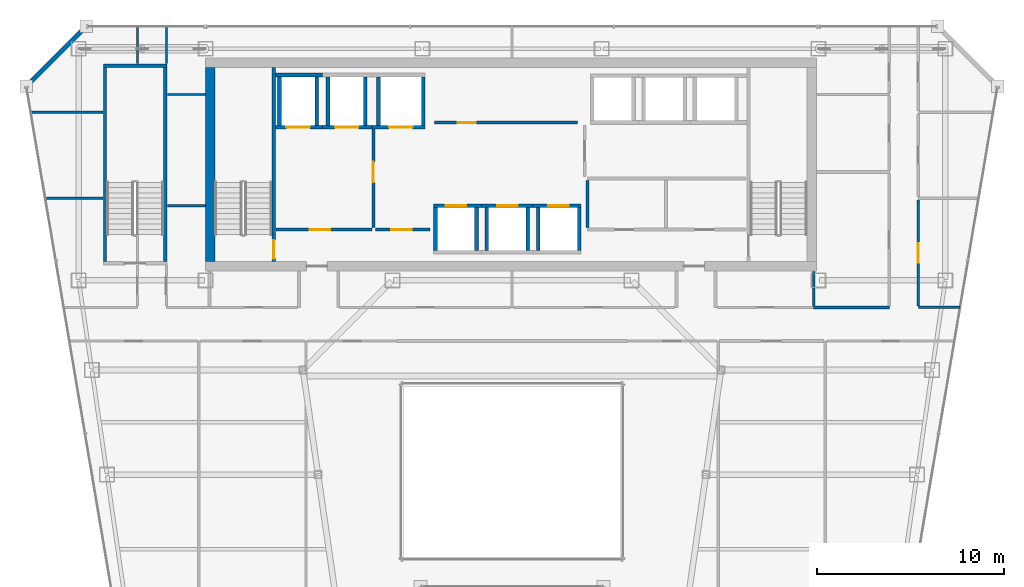
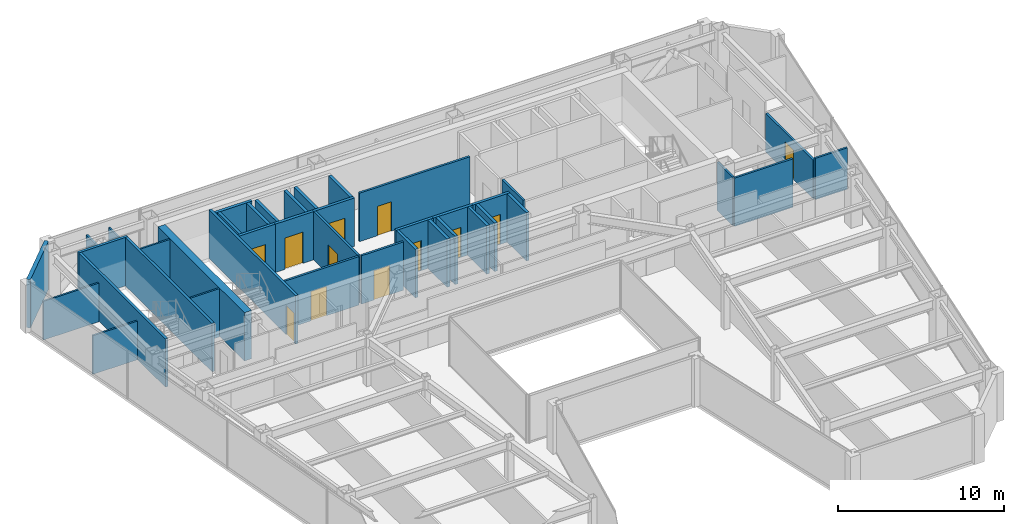
# One storey, part 31 of 36: 40 walls, 12 doors, 12 openings.
"""IFC4 building model written with IfcOpenShell, lengths in metres."""

from ifc_helpers import new_model, si_unit, direction, frame, frame_2d, origin, place, context, subcontext, project, spatial, rectangle, extrude, material, layer, layer_set, type_object, element, fill, save


model = new_model("IFC4")

# Units and contexts
model_context = context("Model", 3, precision=1e-05, world=origin(), true_north=direction((0.0, 1.0)))
body_context = subcontext(model_context, "Body", "Model", "MODEL_VIEW")
ifc_project = project(units=[si_unit("LENGTHUNIT", "METRE"), si_unit("AREAUNIT", "SQUARE_METRE"), si_unit("VOLUMEUNIT", "CUBIC_METRE"), si_unit("PLANEANGLEUNIT", "RADIAN"), si_unit("MASSUNIT", "GRAM", prefix="KILO")], contexts=[model_context])

# Site, building, storey
site_placement = place(None, origin())
site = spatial("IfcSite", under=ifc_project, at=site_placement, CompositionType="ELEMENT")
building_placement = place(site_placement, origin())
building = spatial("IfcBuilding", under=site, at=building_placement, Name="Saevonmaru Cultural Tower", CompositionType="ELEMENT")
storey_placement = place(building_placement, frame((0.0, 0.0, 186.60009765625)))
storey = spatial("IfcBuildingStorey", under=building, at=storey_placement, Name="L42", CompositionType="ELEMENT", Elevation=186.60009765625)

# Wall
ifc_material_1 = material(Name="Concrete C60/75", Category="concrete")
ifc_layer_1 = layer(ifc_material_1, 0.5, Name="Concrete C60/75")
ifc_layer_set_1 = layer_set([ifc_layer_1], Name="Concrete C60/75")
wall_type_1 = type_object("IfcWallType", Name="WL-CORE-500", PredefinedType="SHEAR", material=ifc_layer_set_1)
wall_1_placement = place(storey_placement, frame((13.85009765625, 43.39990234375, 0.0), z_axis=(0.0, 0.0, 1.0), x_axis=(0.0, 1.0, 0.0)))
element("IfcWall", 1, at=wall_1_placement, inside=storey, type_object=wall_type_1, Name="L42 Tower RC core shear wall W", PredefinedType="SHEAR", context=body_context, shape_type="SweptSolid", body=[
    extrude(rectangle(XDim=10.400146484375, YDim=0.5, at=frame_2d((5.2001953125, 0.0))), origin(), (0.0, 0.0, 1.0), 3.5498046875),
])

# Wall, opening, door
ifc_material_2 = material(Name="Gypsum Fireboard Partition", Category="gypsum")
ifc_layer_2 = layer(ifc_material_2, 0.14990234375, Name="Gypsum Fireboard Partition")
ifc_layer_set_2 = layer_set([ifc_layer_2], Name="Gypsum Fireboard Partition")
wall_type_2 = type_object("IfcWallType", Name="WL-CORE-PART-150", PredefinedType="PARTITIONING", material=ifc_layer_set_2)
wall_2_placement = place(storey_placement, frame((17.360107421875, 45.1201171875, 0.0), z_axis=(0.0, 0.0, 1.0), x_axis=(1.0, 0.0, 0.0)))
wall_2 = element("IfcWall", 2, at=wall_2_placement, inside=storey, type_object=wall_type_2, Name="L42 Firefighting Lift Lobby South Wall", PredefinedType="PARTITIONING", context=body_context, shape_type="SweptSolid", body=[
    extrude(rectangle(XDim=5.139892578125, YDim=0.14990234375, at=frame_2d((2.56982421875, 0.0))), origin(), (0.0, 0.0, 1.0), 3.5498046875),
])
opening_1_placement = place(wall_2_placement, frame((1.800048828125, 0.0, 0.0)))
opening_1 = element("IfcOpeningElement", 3, at=opening_1_placement, cuts=wall_2, Name="Opening FD-2", PredefinedType="OPENING", context=body_context, shape_type="SweptSolid", body=[
    extrude(rectangle(XDim=1.10009765625, YDim=2.14990234375, at=frame_2d((0.550048828125, 1.074951171875))), frame((0.0, 0.0849609375, 0.0), z_axis=(0.0, -1.0, 0.0), x_axis=(1.0, 0.0, 0.0)), (0.0, 0.0, 1.0), 0.169921875),
])
ifc_material_3 = material(Name="Satin Bronze Anodised Aluminium", Category="aluminium")
door_type_1 = type_object("IfcDoorType", Name="DR-FD60-1100", OperationType="SINGLE_SWING_LEFT", PredefinedType="DOOR", material=ifc_material_3)
door_1_placement = place(opening_1_placement, origin())
door_1 = element("IfcDoor", 4, at=door_1_placement, inside=storey, type_object=door_type_1, Name="L42 Firefighting Lift Lobby South Door", OperationType="SINGLE_SWING_LEFT", OverallHeight=2.14990234375, OverallWidth=1.10009765625, PredefinedType="DOOR", context=body_context, shape_type="SweptSolid", body=[
    extrude(rectangle(XDim=1.10009765625, YDim=2.14990234375, at=frame_2d((0.550048828125, 1.074951171875))), frame((0.0, 0.02490234375, 0.0), z_axis=(0.0, -1.0, 0.0), x_axis=(1.0, 0.0, 0.0)), (0.0, 0.0, 1.0), 0.050048828125),
])
fill(opening_1, door_1)

wall_3_placement = place(storey_placement, frame((22.580078125, 50.550048828125, 0.0), z_axis=(0.0, 0.0, 1.0), x_axis=(0.0, -1.0, 0.0)))
wall_3 = element("IfcWall", 5, at=wall_3_placement, inside=storey, type_object=wall_type_2, Name="L42 Firefighting Lift Lobby East Wall", PredefinedType="PARTITIONING", context=body_context, shape_type="SweptSolid", body=[
    extrude(rectangle(XDim=5.330078125, YDim=0.14990234375, at=frame_2d((2.6650390625, 0.0))), origin(), (0.0, 0.0, 1.0), 3.5498046875),
])
opening_2_placement = place(wall_3_placement, frame((1.800048828125, 0.0, 0.0)))
opening_2 = element("IfcOpeningElement", 6, at=opening_2_placement, cuts=wall_3, Name="Opening FD-2", PredefinedType="OPENING", context=body_context, shape_type="SweptSolid", body=[
    extrude(rectangle(XDim=1.10009765625, YDim=2.14990234375, at=frame_2d((0.550048828125, 1.074951171875))), frame((0.0, 0.0849609375, 0.0), z_axis=(0.0, -1.0, 0.0), x_axis=(1.0, 0.0, 0.0)), (0.0, 0.0, 1.0), 0.169921875),
])
door_2_placement = place(opening_2_placement, origin())
door_2 = element("IfcDoor", 7, at=door_2_placement, inside=storey, type_object=door_type_1, Name="L42 Firefighting Lift Lobby East Door", OperationType="SINGLE_SWING_LEFT", OverallHeight=2.14990234375, OverallWidth=1.10009765625, PredefinedType="DOOR", context=body_context, shape_type="SweptSolid", body=[
    extrude(rectangle(XDim=1.10009765625, YDim=2.14990234375, at=frame_2d((0.550048828125, 1.074951171875))), frame((0.0, 0.02490234375, 0.0), z_axis=(0.0, -1.0, 0.0), x_axis=(1.0, 0.0, 0.0)), (0.0, 0.0, 1.0), 0.050048828125),
])
fill(opening_2, door_2)

wall_4_placement = place(storey_placement, frame((22.679931640625, 45.1201171875, 0.0), z_axis=(0.0, 0.0, 1.0), x_axis=(1.0, 0.0, 0.0)))
wall_4 = element("IfcWall", 8, at=wall_4_placement, inside=storey, type_object=wall_type_2, Name="L42 Service Lift Vestibule Wall", PredefinedType="PARTITIONING", context=body_context, shape_type="SweptSolid", body=[
    extrude(rectangle(XDim=2.920166015625, YDim=0.14990234375, at=frame_2d((1.4599609375, 0.0))), origin(), (0.0, 0.0, 1.0), 3.5498046875),
])
opening_3_placement = place(wall_4_placement, frame((0.85009765625, 0.0, 0.0)))
opening_3 = element("IfcOpeningElement", 9, at=opening_3_placement, cuts=wall_4, Name="Opening FD-2", PredefinedType="OPENING", context=body_context, shape_type="SweptSolid", body=[
    extrude(rectangle(XDim=1.10009765625, YDim=2.14990234375, at=frame_2d((0.550048828125, 1.074951171875))), frame((0.0, 0.0849609375, 0.0), z_axis=(0.0, -1.0, 0.0), x_axis=(1.0, 0.0, 0.0)), (0.0, 0.0, 1.0), 0.169921875),
])
door_3_placement = place(opening_3_placement, origin())
door_3 = element("IfcDoor", 10, at=door_3_placement, inside=storey, type_object=door_type_1, Name="L42 Service Lift Vestibule Door", OperationType="SINGLE_SWING_LEFT", OverallHeight=2.14990234375, OverallWidth=1.10009765625, PredefinedType="DOOR", context=body_context, shape_type="SweptSolid", body=[
    extrude(rectangle(XDim=1.10009765625, YDim=2.14990234375, at=frame_2d((0.550048828125, 1.074951171875))), frame((0.0, 0.02490234375, 0.0), z_axis=(0.0, -1.0, 0.0), x_axis=(1.0, 0.0, 0.0)), (0.0, 0.0, 1.0), 0.050048828125),
])
fill(opening_3, door_3)

# Wall
wall_5_placement = place(storey_placement, frame((34.050048828125, 45.219970703125, 0.0), z_axis=(0.0, 0.0, 1.0), x_axis=(0.0, 1.0, 0.0)))
element("IfcWall", 11, at=wall_5_placement, inside=storey, type_object=wall_type_2, Name="L42 Core Plant West Wall", PredefinedType="PARTITIONING", context=body_context, shape_type="SweptSolid", body=[
    extrude(rectangle(XDim=2.530029296875, YDim=0.14990234375, at=frame_2d((1.26513671875, 0.0))), origin(), (0.0, 0.0, 1.0), 3.5498046875),
])

# Wall, opening, door
wall_6_placement = place(storey_placement, frame((25.85009765625, 50.85009765625, 0.0), z_axis=(0.0, 0.0, 1.0), x_axis=(1.0, 0.0, 0.0)))
wall_6 = element("IfcWall", 12, at=wall_6_placement, inside=storey, type_object=wall_type_2, Name="L42 Reclaimed Core Room South Wall", PredefinedType="PARTITIONING", context=body_context, shape_type="SweptSolid", body=[
    extrude(rectangle(XDim=7.64990234375, YDim=0.14990234375, at=frame_2d((3.824951171875, 0.0))), origin(), (0.0, 0.0, 1.0), 3.5498046875),
])
opening_4_placement = place(wall_6_placement, frame((1.25, 0.0, 0.0)))
opening_4 = element("IfcOpeningElement", 13, at=opening_4_placement, cuts=wall_6, Name="Opening FD-4", PredefinedType="OPENING", context=body_context, shape_type="SweptSolid", body=[
    extrude(rectangle(XDim=0.949951171875, YDim=2.14990234375, at=frame_2d((0.47509765625, 1.074951171875))), frame((0.0, 0.0849609375, 0.0), z_axis=(0.0, -1.0, 0.0), x_axis=(1.0, 0.0, 0.0)), (0.0, 0.0, 1.0), 0.169921875),
])
door_type_2 = type_object("IfcDoorType", Name="DR-FD60-950", OperationType="SINGLE_SWING_LEFT", PredefinedType="DOOR", material=ifc_material_3)
door_4_placement = place(opening_4_placement, origin())
door_4 = element("IfcDoor", 14, at=door_4_placement, inside=storey, type_object=door_type_2, Name="L42 Reclaimed Archive Vault Door", OperationType="SINGLE_SWING_LEFT", OverallHeight=2.14990234375, OverallWidth=0.949951171875, PredefinedType="DOOR", context=body_context, shape_type="SweptSolid", body=[
    extrude(rectangle(XDim=0.949951171875, YDim=2.14990234375, at=frame_2d((0.47509765625, 1.074951171875))), frame((0.0, 0.02490234375, 0.0), z_axis=(0.0, -1.0, 0.0), x_axis=(1.0, 0.0, 0.0)), (0.0, 0.0, 1.0), 0.050048828125),
])
fill(opening_4, door_4)

# Wall
ifc_material_4 = material(Name="Granite-Clad Precast Concrete C40/50", Category="masonry")
ifc_layer_3 = layer(ifc_material_4, 0.260009765625, Name="Granite-Clad Precast Concrete C40/50")
ifc_layer_set_3 = layer_set([ifc_layer_3], Name="Granite-Clad Precast Concrete C40/50")
wall_type_3 = type_object("IfcWallType", Name="WL-EXT-SPANDREL-260", PredefinedType="STANDARD", material=ifc_layer_set_3)
wall_7_placement = place(storey_placement, frame((7.0869140625, 55.886962890625, 0.0), z_axis=(0.0, 0.0, 1.0), x_axis=(-0.707106781187, -0.707106781187, 0.0)))
element("IfcWall", 15, at=wall_7_placement, inside=storey, type_object=wall_type_3, Name="L42 Chamfer Corner Spandrel Wall E11", PredefinedType="STANDARD", context=body_context, shape_type="SweptSolid", body=[
    extrude(rectangle(XDim=4.205810546875, YDim=0.260009765625, at=frame_2d((2.10302734375, 0.0))), origin(), (0.0, 0.0, 1.0), 3.5498046875),
])

# Wall, opening, door
ifc_layer_4 = layer(ifc_material_2, 0.14990234375, Name="Gypsum Fireboard Partition")
ifc_layer_set_4 = layer_set([ifc_layer_4], Name="Gypsum Fireboard Partition")
wall_type_4 = type_object("IfcWallType", Name="WL-PART-FIRE-150", PredefinedType="PARTITIONING", material=ifc_layer_set_4)
wall_8_placement = place(storey_placement, frame((51.75, 41.03759765625, 0.0), z_axis=(0.0, 0.0, 1.0), x_axis=(0.0, 1.0, 0.0)))
wall_8 = element("IfcWall", 16, at=wall_8_placement, inside=storey, type_object=wall_type_4, Name="L42 Permanent Exhibition Gallery Corridor Wall", PredefinedType="PARTITIONING", context=body_context, shape_type="SweptSolid", body=[
    extrude(rectangle(XDim=5.6748046875, YDim=0.14990234375, at=frame_2d((2.83740234375, 0.0))), origin(), (0.0, 0.0, 1.0), 2.8349609375),
])
opening_5_placement = place(wall_8_placement, frame((2.31201171875, 0.0, 0.0)))
opening_5 = element("IfcOpeningElement", 17, at=opening_5_placement, cuts=wall_8, Name="Opening ID-1", PredefinedType="OPENING", context=body_context, shape_type="SweptSolid", body=[
    extrude(rectangle(XDim=1.050048828125, YDim=2.14990234375, at=frame_2d((0.52490234375, 1.074951171875))), frame((0.0, 0.0849609375, 0.0), z_axis=(0.0, -1.0, 0.0), x_axis=(1.0, 0.0, 0.0)), (0.0, 0.0, 1.0), 0.169921875),
])
door_type_3 = type_object("IfcDoorType", Name="DR-INT-1050", OperationType="SINGLE_SWING_LEFT", PredefinedType="DOOR", material=ifc_material_3)
door_5_placement = place(opening_5_placement, origin())
door_5 = element("IfcDoor", 18, at=door_5_placement, inside=storey, type_object=door_type_3, Name="L42 Permanent Exhibition Gallery Door", OperationType="SINGLE_SWING_LEFT", OverallHeight=2.14990234375, OverallWidth=1.050048828125, PredefinedType="DOOR", context=body_context, shape_type="SweptSolid", body=[
    extrude(rectangle(XDim=1.050048828125, YDim=2.14990234375, at=frame_2d((0.52490234375, 1.074951171875))), frame((0.0, 0.02490234375, 0.0), z_axis=(0.0, -1.0, 0.0), x_axis=(1.0, 0.0, 0.0)), (0.0, 0.0, 1.0), 0.050048828125),
])
fill(opening_5, door_5)

# Walls
ifc_layer_5 = layer(ifc_material_2, 0.1201171875, Name="Gypsum Fireboard Partition")
ifc_layer_set_5 = layer_set([ifc_layer_5], Name="Gypsum Fireboard Partition")
wall_type_5 = type_object("IfcWallType", Name="WL-PART-GYP-120", PredefinedType="PARTITIONING", material=ifc_layer_set_5)
wall_9_placement = place(storey_placement, frame((11.550048828125, 52.35009765625, 0.0), z_axis=(0.0, 0.0, 1.0), x_axis=(1.0, 0.0, 0.0)))
element("IfcWall", 19, at=wall_9_placement, inside=storey, type_object=wall_type_5, Name="L42 North-West Panorama South Wall", PredefinedType="PARTITIONING", context=body_context, shape_type="SweptSolid", body=[
    extrude(rectangle(XDim=2.030029296875, YDim=0.1201171875, at=frame_2d((1.01513671875, 0.0))), origin(), (0.0, 0.0, 1.0), 3.5498046875),
])
wall_10_placement = place(storey_placement, frame((11.5, 54.0, 0.0), z_axis=(0.0, 0.0, 1.0), x_axis=(0.0, 1.0, 0.0)))
element("IfcWall", 20, at=wall_10_placement, inside=storey, type_object=wall_type_5, Name="L42 Editorial Fellows Office Corridor Wall", PredefinedType="PARTITIONING", context=body_context, shape_type="SweptSolid", body=[
    extrude(rectangle(XDim=1.9951171875, YDim=0.1201171875, at=frame_2d((0.99755859375, 0.0))), origin(), (0.0, 0.0, 1.0), 2.934814453125),
])
wall_11_placement = place(storey_placement, frame((5.020751953125, 46.800048828125, 0.0), z_axis=(0.0, 0.0, 1.0), x_axis=(1.0, 0.0, 0.0)))
element("IfcWall", 21, at=wall_11_placement, inside=storey, type_object=wall_type_5, Name="L42 NW Studio Divider 1", PredefinedType="PARTITIONING", context=body_context, shape_type="SweptSolid", body=[
    extrude(rectangle(XDim=3.079345703125, YDim=0.1201171875, at=frame_2d((1.53955078125, 0.0))), origin(), (0.0, 0.0, 1.0), 2.8349609375),
])
wall_12_placement = place(storey_placement, frame((4.2421875, 51.39990234375, 0.0), z_axis=(0.0, 0.0, 1.0), x_axis=(1.0, 0.0, 0.0)))
element("IfcWall", 22, at=wall_12_placement, inside=storey, type_object=wall_type_5, Name="L42 NW Studio Divider 2", PredefinedType="PARTITIONING", context=body_context, shape_type="SweptSolid", body=[
    extrude(rectangle(XDim=3.85791015625, YDim=0.1201171875, at=frame_2d((1.928955078125, 0.0))), origin(), (0.0, 0.0, 1.0), 2.8349609375),
])
wall_13_placement = place(storey_placement, frame((9.949951171875, 54.0, 0.0), z_axis=(0.0, 0.0, 1.0), x_axis=(0.0, 1.0, 0.0)))
element("IfcWall", 23, at=wall_13_placement, inside=storey, type_object=wall_type_5, Name="L42 Editorial Fellows Office Corridor Wall", PredefinedType="PARTITIONING", context=body_context, shape_type="SweptSolid", body=[
    extrude(rectangle(XDim=1.9951171875, YDim=0.1201171875, at=frame_2d((0.99755859375, 0.0))), origin(), (0.0, 0.0, 1.0), 2.934814453125),
])
wall_14_placement = place(storey_placement, frame((11.550048828125, 46.39990234375, 0.0), z_axis=(0.0, 0.0, 1.0), x_axis=(1.0, 0.0, 0.0)))
element("IfcWall", 24, at=wall_14_placement, inside=storey, type_object=wall_type_5, Name="L42 NW Inner Divider", PredefinedType="PARTITIONING", context=body_context, shape_type="SweptSolid", body=[
    extrude(rectangle(XDim=2.030029296875, YDim=0.1201171875, at=frame_2d((1.01513671875, 0.0))), origin(), (0.0, 0.0, 1.0), 3.5498046875),
])
ifc_layer_6 = layer(ifc_material_2, 0.135009765625, Name="Gypsum Fireboard Partition")
ifc_layer_set_6 = layer_set([ifc_layer_6], Name="Gypsum Fireboard Partition")
wall_type_6 = type_object("IfcWallType", Name="WL-PART-GYP-135", PredefinedType="PARTITIONING", material=ifc_layer_set_6)
wall_15_placement = place(storey_placement, frame((51.75, 40.949951171875, 0.0), z_axis=(0.0, 0.0, 1.0), x_axis=(1.0, 0.0, 0.0)))
element("IfcWall", 25, at=wall_15_placement, inside=storey, type_object=wall_type_6, Name="L42 NE Wing South Wall", PredefinedType="PARTITIONING", context=body_context, shape_type="SweptSolid", body=[
    extrude(rectangle(XDim=2.23876953125, YDim=0.135009765625, at=frame_2d((1.119384765625, 0.0))), origin(), (0.0, 0.0, 1.0), 3.034912109375),
])
ifc_layer_7 = layer(ifc_material_2, 0.139892578125, Name="Gypsum Fireboard Partition")
ifc_layer_set_7 = layer_set([ifc_layer_7], Name="Gypsum Fireboard Partition")
wall_type_7 = type_object("IfcWallType", Name="WL-PART-WET-140", PredefinedType="PARTITIONING", material=ifc_layer_set_7)
wall_16_placement = place(storey_placement, frame((46.14990234375, 40.949951171875, 0.0), z_axis=(0.0, 0.0, 1.0), x_axis=(1.0, 0.0, 0.0)))
element("IfcWall", 26, at=wall_16_placement, inside=storey, type_object=wall_type_7, Name="L42 Washroom South Wall", PredefinedType="PARTITIONING", context=body_context, shape_type="SweptSolid", body=[
    extrude(rectangle(XDim=4.050048828125, YDim=0.139892578125, at=frame_2d((2.02490234375, 0.0))), origin(), (0.0, 0.0, 1.0), 3.5498046875),
])
wall_17_placement = place(storey_placement, frame((46.14990234375, 41.0400390625, 0.0), z_axis=(0.0, 0.0, 1.0), x_axis=(0.0, 1.0, 0.0)))
element("IfcWall", 27, at=wall_17_placement, inside=storey, type_object=wall_type_7, Name="L42 Washroom South-West Return", PredefinedType="PARTITIONING", context=body_context, shape_type="SweptSolid", body=[
    extrude(rectangle(XDim=1.83984375, YDim=0.139892578125, at=frame_2d((0.919921875, 0.0))), origin(), (0.0, 0.0, 1.0), 3.5498046875),
])

# Wall, opening, door
ifc_material_5 = material(Name="Concrete C40/50", Category="concrete")
ifc_layer_8 = layer(ifc_material_5, 0.199951171875, Name="Concrete C40/50")
ifc_layer_set_8 = layer_set([ifc_layer_8], Name="Concrete C40/50")
wall_type_8 = type_object("IfcWallType", Name="WL-SHAFT-200", PredefinedType="SHEAR", material=ifc_layer_set_8)
wall_18_placement = place(storey_placement, frame((17.330078125, 50.60009765625, 0.0), z_axis=(0.0, 0.0, 1.0), x_axis=(1.0, 0.0, 0.0)))
wall_18 = element("IfcWall", 28, at=wall_18_placement, inside=storey, type_object=wall_type_8, Name="L42 Lift FFL-1 Hoistway Wall S", PredefinedType="SHEAR", context=body_context, shape_type="SweptSolid", body=[
    extrude(rectangle(XDim=2.52001953125, YDim=0.199951171875, at=frame_2d((1.260009765625, 0.0))), origin(), (0.0, 0.0, 1.0), 3.5498046875),
])
opening_6_placement = place(wall_18_placement, frame((0.594970703125, 0.0, 0.0)))
opening_6 = element("IfcOpeningElement", 29, at=opening_6_placement, cuts=wall_18, Name="Opening LD-2", PredefinedType="OPENING", context=body_context, shape_type="SweptSolid", body=[
    extrude(rectangle(XDim=1.25, YDim=2.300048828125, at=frame_2d((0.625, 1.14990234375))), frame((0.0, 0.10986328125, 0.0), z_axis=(0.0, -1.0, 0.0), x_axis=(1.0, 0.0, 0.0)), (0.0, 0.0, 1.0), 0.219970703125),
])
ifc_material_6 = material(Name="Stainless Steel 316", Category="steel")
door_type_4 = type_object("IfcDoorType", Name="DR-LIFT-1250", OperationType="SLIDING_TO_LEFT", PredefinedType="DOOR", material=ifc_material_6)
door_6_placement = place(opening_6_placement, origin())
door_6 = element("IfcDoor", 30, at=door_6_placement, inside=storey, type_object=door_type_4, Name="L42 Lift FFL-1 Sliding Landing Door", OperationType="SLIDING_TO_LEFT", OverallHeight=2.300048828125, OverallWidth=1.25, PredefinedType="DOOR", context=body_context, shape_type="SweptSolid", body=[
    extrude(rectangle(XDim=1.25, YDim=2.300048828125, at=frame_2d((0.625, 1.14990234375))), frame((0.0, 0.02490234375, 0.0), z_axis=(0.0, -1.0, 0.0), x_axis=(1.0, 0.0, 0.0)), (0.0, 0.0, 1.0), 0.050048828125),
])
fill(opening_6, door_6)

# Walls
wall_19_placement = place(storey_placement, frame((17.330078125, 53.39990234375, 0.0), z_axis=(0.0, 0.0, 1.0), x_axis=(1.0, 0.0, 0.0)))
element("IfcWall", 31, at=wall_19_placement, inside=storey, type_object=wall_type_8, Name="L42 Lift FFL-1 Hoistway Wall N", PredefinedType="SHEAR", context=body_context, shape_type="SweptSolid", body=[
    extrude(rectangle(XDim=2.52001953125, YDim=0.199951171875, at=frame_2d((1.260009765625, 0.0))), origin(), (0.0, 0.0, 1.0), 3.5498046875),
])
for number, where, z_axis, x_axis, name in (
    (32, (17.550048828125, 50.699951171875, 0.0), (0.0, 0.0, 1.0), (0.0, 1.0, 0.0), "L42 Lift FFL-1 Hoistway Wall W"),
    (33, (19.550048828125, 50.699951171875, 0.0), (0.0, 0.0, 1.0), (0.0, 1.0, 0.0), "L42 Lift FFL-1 Hoistway Wall E"),
):
    element("IfcWall", number, at=place(storey_placement, frame(where, z_axis=z_axis, x_axis=x_axis)), inside=storey, type_object=wall_type_8, Name=name, PredefinedType="SHEAR", context=body_context, shape_type="SweptSolid", body=[
        extrude(rectangle(XDim=2.60009765625, YDim=0.199951171875, at=frame_2d((1.300048828125, 0.0))), origin(), (0.0, 0.0, 1.0), 3.5498046875),
    ])

# Wall, opening, door
wall_20_placement = place(storey_placement, frame((19.85009765625, 50.60009765625, 0.0), z_axis=(0.0, 0.0, 1.0), x_axis=(1.0, 0.0, 0.0)))
wall_20 = element("IfcWall", 34, at=wall_20_placement, inside=storey, type_object=wall_type_8, Name="L42 Lift FFL-2 Hoistway Wall S", PredefinedType="SHEAR", context=body_context, shape_type="SweptSolid", body=[
    extrude(rectangle(XDim=2.64990234375, YDim=0.199951171875, at=frame_2d((1.324951171875, 0.0))), origin(), (0.0, 0.0, 1.0), 3.5498046875),
])
opening_7_placement = place(wall_20_placement, frame((0.675048828125, 0.0, 0.0)))
opening_7 = element("IfcOpeningElement", 35, at=opening_7_placement, cuts=wall_20, Name="Opening LD-2", PredefinedType="OPENING", context=body_context, shape_type="SweptSolid", body=[
    extrude(rectangle(XDim=1.25, YDim=2.300048828125, at=frame_2d((0.625, 1.14990234375))), frame((0.0, 0.10986328125, 0.0), z_axis=(0.0, -1.0, 0.0), x_axis=(1.0, 0.0, 0.0)), (0.0, 0.0, 1.0), 0.219970703125),
])
door_7_placement = place(opening_7_placement, origin())
door_7 = element("IfcDoor", 36, at=door_7_placement, inside=storey, type_object=door_type_4, Name="L42 Lift FFL-2 Sliding Landing Door", OperationType="SLIDING_TO_LEFT", OverallHeight=2.300048828125, OverallWidth=1.25, PredefinedType="DOOR", context=body_context, shape_type="SweptSolid", body=[
    extrude(rectangle(XDim=1.25, YDim=2.300048828125, at=frame_2d((0.625, 1.14990234375))), frame((0.0, 0.02490234375, 0.0), z_axis=(0.0, -1.0, 0.0), x_axis=(1.0, 0.0, 0.0)), (0.0, 0.0, 1.0), 0.050048828125),
])
fill(opening_7, door_7)

# Walls
for number, where, z_axis, x_axis, name in (
    (37, (20.14990234375, 50.699951171875, 0.0), (0.0, 0.0, 1.0), (0.0, 1.0, 0.0), "L42 Lift FFL-2 Hoistway Wall W"),
    (38, (22.14990234375, 50.699951171875, 0.0), (0.0, 0.0, 1.0), (0.0, 1.0, 0.0), "L42 Lift FFL-2 Hoistway Wall E"),
):
    element("IfcWall", number, at=place(storey_placement, frame(where, z_axis=z_axis, x_axis=x_axis)), inside=storey, type_object=wall_type_8, Name=name, PredefinedType="SHEAR", context=body_context, shape_type="SweptSolid", body=[
        extrude(rectangle(XDim=2.60009765625, YDim=0.199951171875, at=frame_2d((1.300048828125, 0.0))), origin(), (0.0, 0.0, 1.0), 3.5498046875),
    ])

# Wall, opening, door
wall_21_placement = place(storey_placement, frame((22.5, 50.60009765625, 0.0), z_axis=(0.0, 0.0, 1.0), x_axis=(1.0, 0.0, 0.0)))
wall_21 = element("IfcWall", 39, at=wall_21_placement, inside=storey, type_object=wall_type_8, Name="L42 Lift GL-1 Hoistway Wall S", PredefinedType="SHEAR", context=body_context, shape_type="SweptSolid", body=[
    extrude(rectangle(XDim=2.85009765625, YDim=0.199951171875, at=frame_2d((1.425048828125, 0.0))), origin(), (0.0, 0.0, 1.0), 3.5498046875),
])
opening_8_placement = place(wall_21_placement, frame((0.925048828125, 0.0, 0.0)))
opening_8 = element("IfcOpeningElement", 40, at=opening_8_placement, cuts=wall_21, Name="Opening LD-2", PredefinedType="OPENING", context=body_context, shape_type="SweptSolid", body=[
    extrude(rectangle(XDim=1.25, YDim=2.300048828125, at=frame_2d((0.625, 1.14990234375))), frame((0.0, 0.10986328125, 0.0), z_axis=(0.0, -1.0, 0.0), x_axis=(1.0, 0.0, 0.0)), (0.0, 0.0, 1.0), 0.219970703125),
])
door_8_placement = place(opening_8_placement, origin())
door_8 = element("IfcDoor", 41, at=door_8_placement, inside=storey, type_object=door_type_4, Name="L42 Lift GL-1 Sliding Landing Door", OperationType="SLIDING_TO_LEFT", OverallHeight=2.300048828125, OverallWidth=1.25, PredefinedType="DOOR", context=body_context, shape_type="SweptSolid", body=[
    extrude(rectangle(XDim=1.25, YDim=2.300048828125, at=frame_2d((0.625, 1.14990234375))), frame((0.0, 0.02490234375, 0.0), z_axis=(0.0, -1.0, 0.0), x_axis=(1.0, 0.0, 0.0)), (0.0, 0.0, 1.0), 0.050048828125),
])
fill(opening_8, door_8)

# Walls
for number, where, z_axis, x_axis, name in (
    (42, (22.85009765625, 50.699951171875, 0.0), (0.0, 0.0, 1.0), (0.0, 1.0, 0.0), "L42 Lift GL-1 Hoistway Wall W"),
    (43, (25.25, 50.699951171875, 0.0), (0.0, 0.0, 1.0), (0.0, 1.0, 0.0), "L42 Lift GL-1 Hoistway Wall E"),
):
    element("IfcWall", number, at=place(storey_placement, frame(where, z_axis=z_axis, x_axis=x_axis)), inside=storey, type_object=wall_type_8, Name=name, PredefinedType="SHEAR", context=body_context, shape_type="SweptSolid", body=[
        extrude(rectangle(XDim=2.60009765625, YDim=0.199951171875, at=frame_2d((1.300048828125, 0.0))), origin(), (0.0, 0.0, 1.0), 3.5498046875),
    ])

# Wall, opening, door
wall_22_placement = place(storey_placement, frame((25.800048828125, 46.39990234375, 0.0), z_axis=(0.0, 0.0, 1.0), x_axis=(1.0, 0.0, 0.0)))
wall_22 = element("IfcWall", 44, at=wall_22_placement, inside=storey, type_object=wall_type_8, Name="L42 Lift PL-M1 Hoistway Wall N", PredefinedType="SHEAR", context=body_context, shape_type="SweptSolid", body=[
    extrude(rectangle(XDim=2.574951171875, YDim=0.199951171875, at=frame_2d((1.28759765625, 0.0))), origin(), (0.0, 0.0, 1.0), 3.5498046875),
])
opening_9_placement = place(wall_22_placement, frame((0.64990234375, 0.0, 0.0)))
opening_9 = element("IfcOpeningElement", 45, at=opening_9_placement, cuts=wall_22, Name="Opening LD-1", PredefinedType="OPENING", context=body_context, shape_type="SweptSolid", body=[
    extrude(rectangle(XDim=1.10009765625, YDim=2.199951171875, at=frame_2d((0.550048828125, 1.10009765625))), frame((0.0, 0.10986328125, 0.0), z_axis=(0.0, -1.0, 0.0), x_axis=(1.0, 0.0, 0.0)), (0.0, 0.0, 1.0), 0.219970703125),
])
ifc_material_7 = material(Name="Satin Bronze Stainless Steel", Category="steel")
door_type_5 = type_object("IfcDoorType", Name="DR-LIFT-1100", OperationType="SLIDING_TO_LEFT", PredefinedType="DOOR", material=ifc_material_7)
door_9_placement = place(opening_9_placement, origin())
door_9 = element("IfcDoor", 46, at=door_9_placement, inside=storey, type_object=door_type_5, Name="L42 Lift PL-M1 Sliding Landing Door", OperationType="SLIDING_TO_LEFT", OverallHeight=2.199951171875, OverallWidth=1.10009765625, PredefinedType="DOOR", context=body_context, shape_type="SweptSolid", body=[
    extrude(rectangle(XDim=1.10009765625, YDim=2.199951171875, at=frame_2d((0.550048828125, 1.10009765625))), frame((0.0, 0.02490234375, 0.0), z_axis=(0.0, -1.0, 0.0), x_axis=(1.0, 0.0, 0.0)), (0.0, 0.0, 1.0), 0.050048828125),
])
fill(opening_9, door_9)

# Walls
for number, where, z_axis, x_axis, name in (
    (47, (25.89990234375, 44.0, 0.0), (0.0, 0.0, 1.0), (0.0, 1.0, 0.0), "L42 Lift PL-M1 Hoistway Wall W"),
    (48, (28.10009765625, 44.0, 0.0), (0.0, 0.0, 1.0), (0.0, 1.0, 0.0), "L42 Lift PL-M1 Hoistway Wall E"),
):
    element("IfcWall", number, at=place(storey_placement, frame(where, z_axis=z_axis, x_axis=x_axis)), inside=storey, type_object=wall_type_8, Name=name, PredefinedType="SHEAR", context=body_context, shape_type="SweptSolid", body=[
        extrude(rectangle(XDim=2.300048828125, YDim=0.199951171875, at=frame_2d((1.14990234375, 0.0))), origin(), (0.0, 0.0, 1.0), 3.5498046875),
    ])

# Wall, opening, door
wall_23_placement = place(storey_placement, frame((28.375, 46.39990234375, 0.0), z_axis=(0.0, 0.0, 1.0), x_axis=(1.0, 0.0, 0.0)))
wall_23 = element("IfcWall", 49, at=wall_23_placement, inside=storey, type_object=wall_type_8, Name="L42 Lift PL-M2 Hoistway Wall N", PredefinedType="SHEAR", context=body_context, shape_type="SweptSolid", body=[
    extrude(rectangle(XDim=2.75, YDim=0.199951171875, at=frame_2d((1.375, 0.0))), origin(), (0.0, 0.0, 1.0), 3.5498046875),
])
opening_10_placement = place(wall_23_placement, frame((0.824951171875, 0.0, 0.0)))
opening_10 = element("IfcOpeningElement", 50, at=opening_10_placement, cuts=wall_23, Name="Opening LD-1", PredefinedType="OPENING", context=body_context, shape_type="SweptSolid", body=[
    extrude(rectangle(XDim=1.10009765625, YDim=2.199951171875, at=frame_2d((0.550048828125, 1.10009765625))), frame((0.0, 0.10986328125, 0.0), z_axis=(0.0, -1.0, 0.0), x_axis=(1.0, 0.0, 0.0)), (0.0, 0.0, 1.0), 0.219970703125),
])
door_10_placement = place(opening_10_placement, origin())
door_10 = element("IfcDoor", 51, at=door_10_placement, inside=storey, type_object=door_type_5, Name="L42 Lift PL-M2 Sliding Landing Door", OperationType="SLIDING_TO_LEFT", OverallHeight=2.199951171875, OverallWidth=1.10009765625, PredefinedType="DOOR", context=body_context, shape_type="SweptSolid", body=[
    extrude(rectangle(XDim=1.10009765625, YDim=2.199951171875, at=frame_2d((0.550048828125, 1.10009765625))), frame((0.0, 0.02490234375, 0.0), z_axis=(0.0, -1.0, 0.0), x_axis=(1.0, 0.0, 0.0)), (0.0, 0.0, 1.0), 0.050048828125),
])
fill(opening_10, door_10)

# Walls
for number, where, z_axis, x_axis, name in (
    (52, (28.64990234375, 44.0, 0.0), (0.0, 0.0, 1.0), (0.0, 1.0, 0.0), "L42 Lift PL-M2 Hoistway Wall W"),
    (53, (30.85009765625, 44.0, 0.0), (0.0, 0.0, 1.0), (0.0, 1.0, 0.0), "L42 Lift PL-M2 Hoistway Wall E"),
):
    element("IfcWall", number, at=place(storey_placement, frame(where, z_axis=z_axis, x_axis=x_axis)), inside=storey, type_object=wall_type_8, Name=name, PredefinedType="SHEAR", context=body_context, shape_type="SweptSolid", body=[
        extrude(rectangle(XDim=2.300048828125, YDim=0.199951171875, at=frame_2d((1.14990234375, 0.0))), origin(), (0.0, 0.0, 1.0), 3.5498046875),
    ])

# Wall, opening, door
wall_24_placement = place(storey_placement, frame((31.125, 46.39990234375, 0.0), z_axis=(0.0, 0.0, 1.0), x_axis=(1.0, 0.0, 0.0)))
wall_24 = element("IfcWall", 54, at=wall_24_placement, inside=storey, type_object=wall_type_8, Name="L42 Lift PL-M3 Hoistway Wall N", PredefinedType="SHEAR", context=body_context, shape_type="SweptSolid", body=[
    extrude(rectangle(XDim=2.574951171875, YDim=0.199951171875, at=frame_2d((1.28759765625, 0.0))), origin(), (0.0, 0.0, 1.0), 3.5498046875),
])
opening_11_placement = place(wall_24_placement, frame((0.824951171875, 0.0, 0.0)))
opening_11 = element("IfcOpeningElement", 55, at=opening_11_placement, cuts=wall_24, Name="Opening LD-1", PredefinedType="OPENING", context=body_context, shape_type="SweptSolid", body=[
    extrude(rectangle(XDim=1.10009765625, YDim=2.199951171875, at=frame_2d((0.550048828125, 1.10009765625))), frame((0.0, 0.10986328125, 0.0), z_axis=(0.0, -1.0, 0.0), x_axis=(1.0, 0.0, 0.0)), (0.0, 0.0, 1.0), 0.219970703125),
])
door_11_placement = place(opening_11_placement, origin())
door_11 = element("IfcDoor", 56, at=door_11_placement, inside=storey, type_object=door_type_5, Name="L42 Lift PL-M3 Sliding Landing Door", OperationType="SLIDING_TO_LEFT", OverallHeight=2.199951171875, OverallWidth=1.10009765625, PredefinedType="DOOR", context=body_context, shape_type="SweptSolid", body=[
    extrude(rectangle(XDim=1.10009765625, YDim=2.199951171875, at=frame_2d((0.550048828125, 1.10009765625))), frame((0.0, 0.02490234375, 0.0), z_axis=(0.0, -1.0, 0.0), x_axis=(1.0, 0.0, 0.0)), (0.0, 0.0, 1.0), 0.050048828125),
])
fill(opening_11, door_11)

# Walls
for number, where, z_axis, x_axis, name in (
    (57, (31.39990234375, 44.0, 0.0), (0.0, 0.0, 1.0), (0.0, 1.0, 0.0), "L42 Lift PL-M3 Hoistway Wall W"),
    (58, (33.60009765625, 44.0, 0.0), (0.0, 0.0, 1.0), (0.0, 1.0, 0.0), "L42 Lift PL-M3 Hoistway Wall E"),
):
    element("IfcWall", number, at=place(storey_placement, frame(where, z_axis=z_axis, x_axis=x_axis)), inside=storey, type_object=wall_type_8, Name=name, PredefinedType="SHEAR", context=body_context, shape_type="SweptSolid", body=[
        extrude(rectangle(XDim=2.300048828125, YDim=0.199951171875, at=frame_2d((1.14990234375, 0.0))), origin(), (0.0, 0.0, 1.0), 3.5498046875),
    ])

# Wall, opening, door
ifc_layer_9 = layer(ifc_material_5, 0.179931640625, Name="Concrete C40/50")
ifc_layer_set_9 = layer_set([ifc_layer_9], Name="Concrete C40/50")
wall_type_9 = type_object("IfcWallType", Name="WL-STSHAFT-180", PredefinedType="SHEAR", material=ifc_layer_set_9)
wall_25_placement = place(storey_placement, frame((17.239990234375, 43.39990234375, 0.0), z_axis=(0.0, 0.0, 1.0), x_axis=(0.0, 1.0, 0.0)))
wall_25 = element("IfcWall", 59, at=wall_25_placement, inside=storey, type_object=wall_type_9, Name="L42 Stair ST-1 Structural Shaft Wall 1", PredefinedType="SHEAR", context=body_context, shape_type="SweptSolid", body=[
    extrude(rectangle(XDim=10.400146484375, YDim=0.179931640625, at=frame_2d((5.2001953125, 0.0))), origin(), (0.0, 0.0, 1.0), 3.5498046875),
])
opening_12_placement = place(wall_25_placement, frame((0.159912109375, 0.0, 0.0)))
opening_12 = element("IfcOpeningElement", 60, at=opening_12_placement, cuts=wall_25, Name="Opening FD-3", PredefinedType="OPENING", context=body_context, shape_type="SweptSolid", body=[
    extrude(rectangle(XDim=1.0, YDim=2.14990234375, at=frame_2d((0.5, 1.074951171875))), frame((0.0, 0.10009765625, 0.0), z_axis=(0.0, -1.0, 0.0), x_axis=(1.0, 0.0, 0.0)), (0.0, 0.0, 1.0), 0.199951171875),
])
door_type_6 = type_object("IfcDoorType", Name="DR-FD60-1000", OperationType="SINGLE_SWING_RIGHT", PredefinedType="DOOR", material=ifc_material_3)
door_12_placement = place(opening_12_placement, origin())
door_12 = element("IfcDoor", 61, at=door_12_placement, inside=storey, type_object=door_type_6, Name="L42 Protected Stair ST-1 Fire Door", OperationType="SINGLE_SWING_RIGHT", OverallHeight=2.14990234375, OverallWidth=1.0, PredefinedType="DOOR", context=body_context, shape_type="SweptSolid", body=[
    extrude(rectangle(XDim=1.0, YDim=2.14990234375, at=frame_2d((0.5, 1.074951171875))), frame((0.0, 0.02490234375, 0.0), z_axis=(0.0, -1.0, 0.0), x_axis=(1.0, 0.0, 0.0)), (0.0, 0.0, 1.0), 0.050048828125),
])
fill(opening_12, door_12)

# Walls
wall_26_placement = place(storey_placement, frame((11.43994140625, 43.39990234375, 0.0), z_axis=(0.0, 0.0, 1.0), x_axis=(0.0, 1.0, 0.0)))
element("IfcWall", 62, at=wall_26_placement, inside=storey, type_object=wall_type_9, Name="L42 Stair ST-3 Structural Shaft Wall 2", PredefinedType="SHEAR", context=body_context, shape_type="SweptSolid", body=[
    extrude(rectangle(XDim=10.400146484375, YDim=0.179931640625, at=frame_2d((5.2001953125, 0.0))), origin(), (0.0, 0.0, 1.0), 3.5498046875),
])
wall_27_placement = place(storey_placement, frame((11.530029296875, 53.889892578125, 0.0), z_axis=(0.0, 0.0, 1.0), x_axis=(-1.0, 0.0, 0.0)))
element("IfcWall", 63, at=wall_27_placement, inside=storey, type_object=wall_type_9, Name="L42 Stair ST-3 Structural Shaft Wall 3", PredefinedType="SHEAR", context=body_context, shape_type="SweptSolid", body=[
    extrude(rectangle(XDim=3.409912109375, YDim=0.179931640625, at=frame_2d((1.705078125, 0.0))), origin(), (0.0, 0.0, 1.0), 3.5498046875),
])
wall_28_placement = place(storey_placement, frame((8.2099609375, 53.800048828125, 0.0), z_axis=(0.0, 0.0, 1.0), x_axis=(0.0, -1.0, 0.0)))
element("IfcWall", 64, at=wall_28_placement, inside=storey, type_object=wall_type_9, Name="L42 Stair ST-3 Structural Shaft Wall 4", PredefinedType="SHEAR", context=body_context, shape_type="SweptSolid", body=[
    extrude(rectangle(XDim=10.400146484375, YDim=0.179931640625, at=frame_2d((5.2001953125, 0.0))), origin(), (0.0, 0.0, 1.0), 3.5498046875),
])

save(model, "model.ifc")
